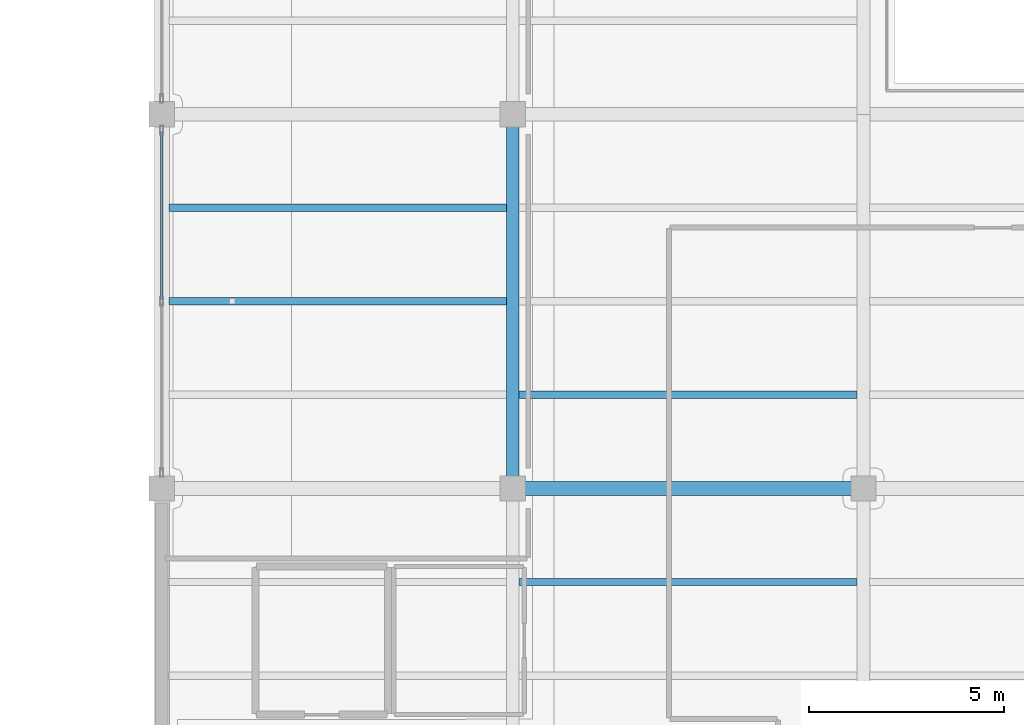
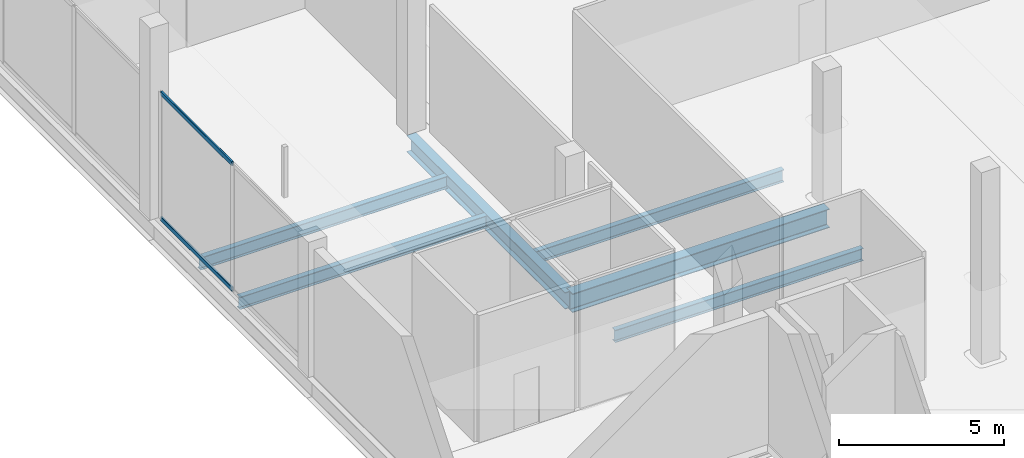
# One storey, part 4 of 43: 6 beams, 2 members, 1 element without a shape of its own.
"""IFC4 building model written with IfcOpenShell, lengths in metres."""

from ifc_helpers import new_model, si_unit, direction, frame, origin, origin_2d, place, context, subcontext, project, spatial, hollow_rectangle, i_section, extrude, material, layer, layer_set, material_profile, profile_set, type_object, element, aggregate, save


model = new_model("IFC4")

# Units and contexts
model_context = context("Model", 3, precision=1e-05, world=origin(), true_north=direction((0.0, 1.0)))
body_context = subcontext(model_context, "Body", "Model", "MODEL_VIEW")
ifc_project = project(units=[si_unit("LENGTHUNIT", "METRE"), si_unit("AREAUNIT", "SQUARE_METRE"), si_unit("VOLUMEUNIT", "CUBIC_METRE"), si_unit("PLANEANGLEUNIT", "RADIAN"), si_unit("MASSUNIT", "GRAM", prefix="KILO")], contexts=[model_context])

# Site, building, storey
site_placement = place(None, origin())
site = spatial("IfcSite", under=ifc_project, at=site_placement, CompositionType="ELEMENT")
building_placement = place(site_placement, origin())
building = spatial("IfcBuilding", under=site, at=building_placement, Name="Qorvath Tower", CompositionType="ELEMENT")
storey_placement = place(building_placement, frame((0.0, 0.0, 22.0)))
storey = spatial("IfcBuildingStorey", under=building, at=storey_placement, Name="L04", CompositionType="ELEMENT", Elevation=22.0)

# Beams
ifc_material_1 = material(Name="Steel ASTM A992 Grade 50", Category="steel")
ifc_material_profile_1 = material_profile(ifc_material_1, i_section(OverallWidth=0.35595703125, OverallDepth=0.696044921875, WebThickness=0.015380859375, FlangeThickness=0.02490234375, FilletRadius=0.01806640625, at=origin_2d()), Name="W27x146")
ifc_profile_set_1 = profile_set([ifc_material_profile_1], Name="Steel ASTM A992 Grade 50")
beam_type_1 = type_object("IfcBeamType", Name="BM-FG4", PredefinedType="BEAM", material=ifc_profile_set_1)
beam_1_placement = place(storey_placement, frame((41.39990234375, -19.199951171875, -0.60791015625), z_axis=(1.0, 0.0, 0.0), x_axis=(0.0, 1.0, 0.0)))
element("IfcBeam", 1, at=beam_1_placement, inside=storey, type_object=beam_type_1, Name="Library E-W Girder L04-3-2", PredefinedType="BEAM", context=body_context, shape_type="SweptSolid", body=[
    extrude(i_section(OverallWidth=0.35595703125, OverallDepth=0.696044921875, WebThickness=0.015380859375, FlangeThickness=0.02490234375, FilletRadius=0.01806640625, at=origin_2d()), origin(), (0.0, 0.0, 1.0), 9.0),
])
ifc_material_2 = material(Name="Steel ASTM A992 Grade 50", Category="steel")
ifc_material_profile_2 = material_profile(ifc_material_2, i_section(OverallWidth=0.324951171875, OverallDepth=0.615966796875, WebThickness=0.013916015625, FlangeThickness=0.021484375, FilletRadius=0.01611328125, at=origin_2d()), Name="W24x117")
ifc_profile_set_2 = profile_set([ifc_material_profile_2], Name="Steel ASTM A992 Grade 50")
beam_type_2 = type_object("IfcBeamType", Name="BM-FG5", PredefinedType="BEAM", material=ifc_profile_set_2)
beam_2_placement = place(storey_placement, frame((41.39990234375, -19.199951171875, -0.568115234375), z_axis=(0.0, 1.0, 0.0), x_axis=(-1.0, 0.0, 0.0)))
element("IfcBeam", 2, at=beam_2_placement, inside=storey, type_object=beam_type_2, Name="Library N-S Girder L04-2-3", PredefinedType="BEAM", context=body_context, shape_type="SweptSolid", body=[
    extrude(i_section(OverallWidth=0.324951171875, OverallDepth=0.615966796875, WebThickness=0.013916015625, FlangeThickness=0.021484375, FilletRadius=0.01611328125, at=origin_2d()), origin(), (0.0, 0.0, 1.0), 9.599853515625),
])
ifc_material_3 = material(Name="Steel ASTM A992 Grade 50", Category="steel")
ifc_material_profile_3 = material_profile(ifc_material_3, i_section(OverallWidth=0.18994140625, OverallDepth=0.45703125, WebThickness=0.009033203125, FlangeThickness=0.014404296875, FilletRadius=0.011962890625, at=origin_2d()), Name="W18x50")
ifc_profile_set_3 = profile_set([ifc_material_profile_3], Name="Steel ASTM A992 Grade 50")
beam_type_3 = type_object("IfcBeamType", Name="BM-FJ2", PredefinedType="JOIST", material=ifc_profile_set_3)
for number, where, z_axis, x_axis, name in (
    (3, (41.560546875, -21.60009765625, -0.488525390625), (1.0, 0.0, 0.0), (0.0, 1.0, 0.0), "Library Stack Joist L04-2.3-2"),
    (4, (41.560546875, -16.800048828125, -0.488525390625), (1.0, 0.0, 0.0), (0.0, 1.0, 0.0), "Library Stack Joist L04-3.1-2"),
):
    element("IfcBeam", number, at=place(storey_placement, frame(where, z_axis=z_axis, x_axis=x_axis)), inside=storey, type_object=beam_type_3, Name=name, PredefinedType="JOIST", context=body_context, shape_type="SweptSolid", body=[
        extrude(i_section(OverallWidth=0.18994140625, OverallDepth=0.45703125, WebThickness=0.009033203125, FlangeThickness=0.014404296875, FilletRadius=0.011962890625, at=origin_2d()), origin(), (0.0, 0.0, 1.0), 8.678955078125),
    ])
for number, where, z_axis, x_axis, name in (
    (5, (32.58837890625, -14.39990234375, -0.488525390625), (1.0, 0.0, 0.0), (0.0, 1.0, 0.0), "Library Stack Joist L04-3.2-1"),
    (6, (32.58837890625, -12.0, -0.488525390625), (1.0, 0.0, 0.0), (0.0, 1.0, 0.0), "Library Stack Joist L04-3.3-1"),
):
    element("IfcBeam", number, at=place(storey_placement, frame(where, z_axis=z_axis, x_axis=x_axis)), inside=storey, type_object=beam_type_3, Name=name, PredefinedType="JOIST", context=body_context, shape_type="SweptSolid", body=[
        extrude(i_section(OverallWidth=0.18994140625, OverallDepth=0.45703125, WebThickness=0.009033203125, FlangeThickness=0.014404296875, FilletRadius=0.011962890625, at=origin_2d()), origin(), (0.0, 0.0, 1.0), 8.651123046875),
    ])

# Curtain wall, members
ifc_material_4 = material(Name="Anodised aluminium and triple low-E glass", Category="aluminium")
ifc_layer = layer(ifc_material_4, 0.179931640625)
ifc_layer_set = layer_set([ifc_layer], Name="CW-SYS-6")
curtain_wall_type = type_object("IfcCurtainWallType", Name="CW-SYS-6", PredefinedType="NOTDEFINED", material=ifc_layer_set)
curtain_wall_placement = place(storey_placement, origin())
curtain_wall = element("IfcCurtainWall", 7, at=curtain_wall_placement, inside=storey, type_object=curtain_wall_type, Name="Curtain Wall CW-6 CW-LIB-W-L04-3", PredefinedType="NOTDEFINED")
ifc_material_5 = material(Name="Anodised aluminium 6063-T6", Category="aluminium")
ifc_material_profile_4 = material_profile(ifc_material_5, hollow_rectangle(XDim=0.06494140625, YDim=0.159912109375, WallThickness=0.00341796875, InnerFilletRadius=0.00341796875, OuterFilletRadius=0.007080078125, at=origin_2d()), Name="CWT 160x65")
ifc_profile_set_4 = profile_set([ifc_material_profile_4], Name="Anodised aluminium 6063-T6")
member_type = type_object("IfcMemberType", Name="CWT-160", PredefinedType="USERDEFINED", material=ifc_profile_set_4)
member_1_placement = place(storey_placement, frame((32.39990234375, -14.360107421875, 0.032470703125), z_axis=(0.0, 1.0, 0.0), x_axis=(-1.0, 0.0, 0.0)))
member_1 = element("IfcMember", 8, at=member_1_placement, type_object=member_type, Name="CW-6 transom 2.1", ObjectType="TRANSOM", PredefinedType="USERDEFINED", context=body_context, shape_type="SweptSolid", body=[
    extrude(hollow_rectangle(XDim=0.06494140625, YDim=0.159912109375, WallThickness=0.00341796875, InnerFilletRadius=0.00341796875, OuterFilletRadius=0.007080078125, at=origin_2d()), origin(), (0.0, 0.0, 1.0), 4.31005859375),
])
member_2_placement = place(storey_placement, frame((32.39990234375, -14.360107421875, 4.66748046875), z_axis=(0.0, 1.0, 0.0), x_axis=(-1.0, 0.0, 0.0)))
member_2 = element("IfcMember", 9, at=member_2_placement, type_object=member_type, Name="CW-6 transom 2.2", ObjectType="TRANSOM", PredefinedType="USERDEFINED", context=body_context, shape_type="SweptSolid", body=[
    extrude(hollow_rectangle(XDim=0.06494140625, YDim=0.159912109375, WallThickness=0.00341796875, InnerFilletRadius=0.00341796875, OuterFilletRadius=0.007080078125, at=origin_2d()), origin(), (0.0, 0.0, 1.0), 4.31005859375),
])
aggregate(curtain_wall, [member_1, member_2])

save(model, "model.ifc")
